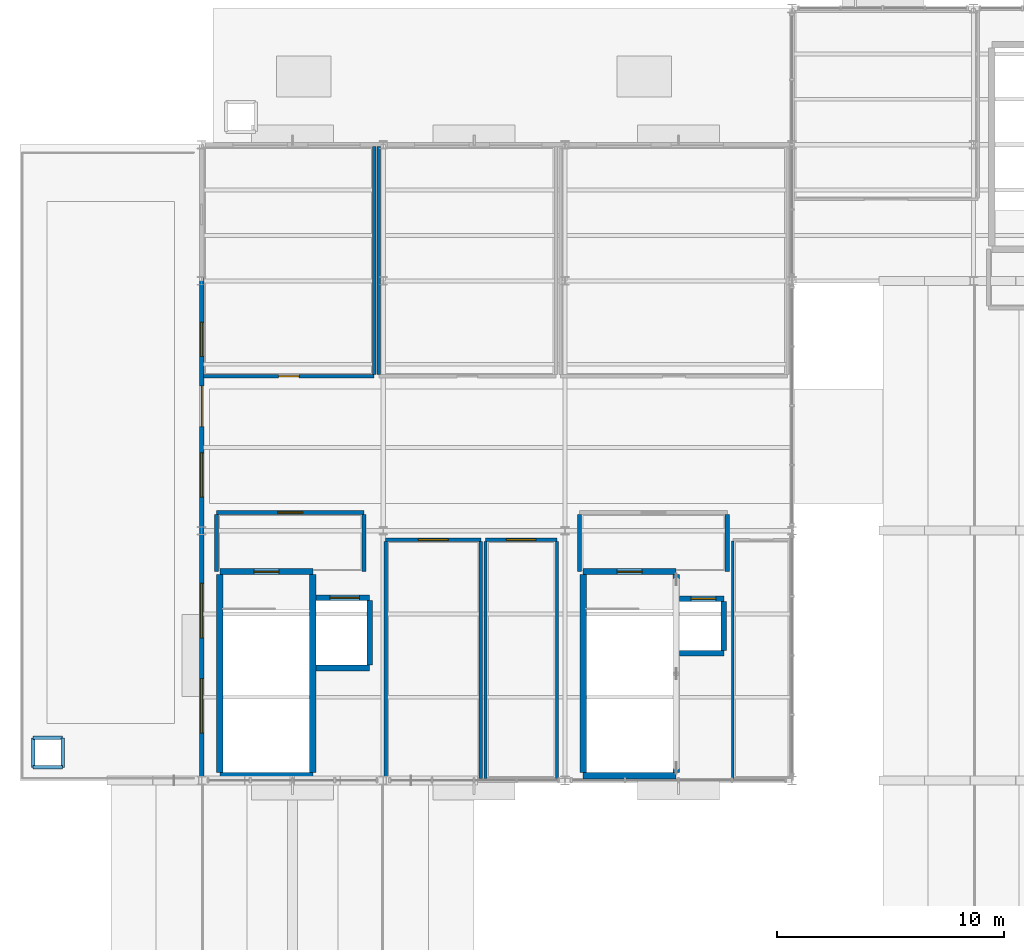
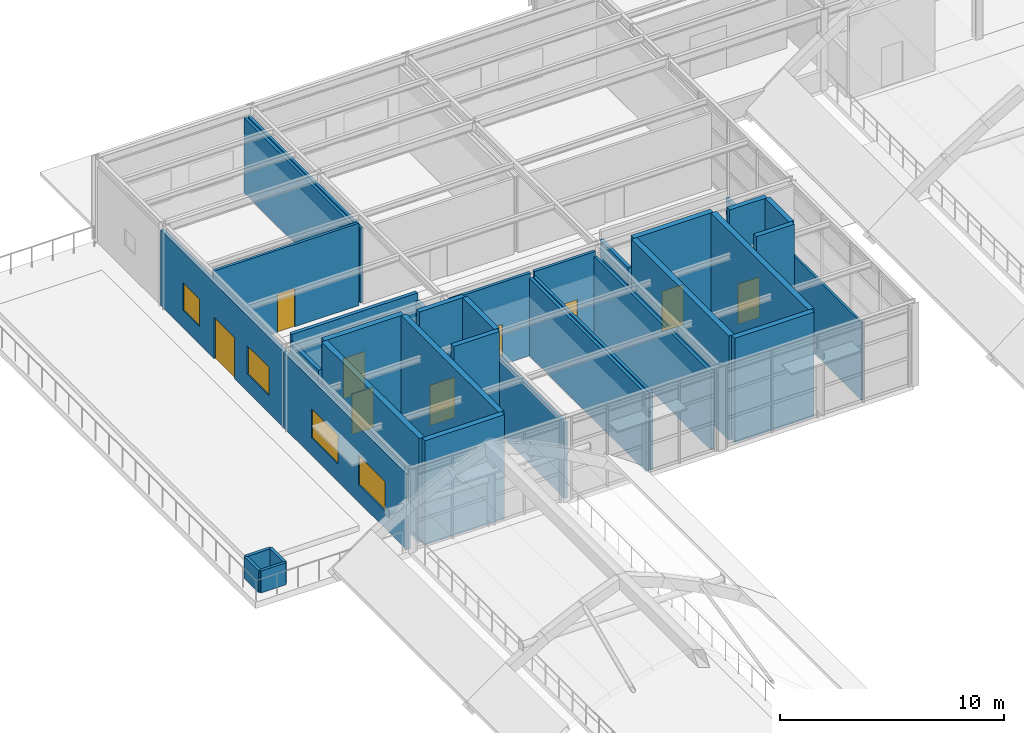
# One storey, part 63 of 82: 35 walls, 9 doors, 4 windows, 13 openings.
"""IFC4 building model written with IfcOpenShell, lengths in metres."""

import ifcopenshell
import ifcopenshell.guid

model = None  # the IFC model being written
_history = None  # IfcOwnerHistory: only IFC2X3 demands one
_inside = {}  # id of a spatial element -> (the spatial element, [elements in it])
_under = {}  # id of a project, library or spatial element -> (it, [spatial elements below it])
_declared = {}  # id of a project -> (the project, [libraries it declares])
_typed = {}  # id of a type object -> (the type object, [elements of that type])
_made_of = {}  # id of a material, layer set ... -> (it, [elements and type objects made of it])


def new_model(schema):
    """Start an empty IFC model of exactly this schema.

    Asked for "IFC4X3", IfcOpenShell would pick the latest addendum, in which some entities
    have other attributes; the version numbers below select the first issue.
    IFC2X3 requires an IfcOwnerHistory on every rooted entity: one is made here for all.
    """
    global model, _history
    if schema == "IFC4X3":
        model = ifcopenshell.file(schema_version=(4, 3, 0, 0))
    else:
        model = ifcopenshell.file(schema=schema)
    _inside.clear()
    _under.clear()
    _declared.clear()
    _typed.clear()
    _made_of.clear()
    _history = None
    if model.schema == "IFC2X3":
        org = make("IfcOrganization", Name="unknown")
        user = make(
            "IfcPersonAndOrganization",
            ThePerson=make("IfcPerson", FamilyName="unknown"),
            TheOrganization=org,
        )
        app = make(
            "IfcApplication",
            ApplicationDeveloper=org,
            Version="unknown",
            ApplicationFullName="unknown",
            ApplicationIdentifier="unknown",
        )
        _history = make(
            "IfcOwnerHistory",
            OwningUser=user,
            OwningApplication=app,
            ChangeAction="ADDED",
            CreationDate=0,
        )
    return model


def make(cls, **values):
    """One entity of the class cls with the attributes given. An attribute that is None is left unset."""
    return model.create_entity(
        cls, **{name: value for name, value in values.items() if value is not None}
    )


def rooted(cls, **values):
    """An entity with a GlobalId (a new one), such as an element, a storey or a relation."""
    return make(cls, GlobalId=ifcopenshell.guid.new(), OwnerHistory=_history, **values)


def si_unit(unit_type, name, prefix=None):
    """IfcSIUnit, for example si_unit("LENGTHUNIT", "METRE", prefix="MILLI")."""
    return make("IfcSIUnit", UnitType=unit_type, Prefix=prefix, Name=name)


def assignment(units):
    """IfcUnitAssignment: the units of a project."""
    return None if units is None else make("IfcUnitAssignment", Units=units)


def point(xyz):
    """IfcCartesianPoint."""
    return None if xyz is None else make("IfcCartesianPoint", Coordinates=xyz)


def direction(xyz):
    """IfcDirection."""
    return None if xyz is None else make("IfcDirection", DirectionRatios=xyz)


def frame(location, z_axis=None, x_axis=None):
    """IfcAxis2Placement3D, a coordinate frame: its origin and axes. An axis left out is left unset."""
    return make(
        "IfcAxis2Placement3D",
        Location=point(location),
        Axis=direction(z_axis),
        RefDirection=direction(x_axis),
    )


def frame_2d(location, x_axis=None):
    """IfcAxis2Placement2D, a coordinate frame in the plane: its origin and x axis."""
    return make(
        "IfcAxis2Placement2D", Location=point(location), RefDirection=direction(x_axis)
    )


def origin():
    """The frame at (0, 0, 0) with its axes left unset."""
    return frame((0.0, 0.0, 0.0))


def place(relative_to, where):
    """IfcLocalPlacement: puts the frame where relative to a parent placement (None: the world)."""
    return make(
        "IfcLocalPlacement", PlacementRelTo=relative_to, RelativePlacement=where
    )


def context(
    kind, dimensions, precision=None, world=None, true_north=None, identifier=None
):
    """IfcGeometricRepresentationContext, for example the 3D "Model" context."""
    return make(
        "IfcGeometricRepresentationContext",
        ContextIdentifier=identifier,
        ContextType=kind,
        CoordinateSpaceDimension=dimensions,
        Precision=precision,
        WorldCoordinateSystem=world,
        TrueNorth=true_north,
    )


def subcontext(parent, identifier, kind, view, scale=None):
    """IfcGeometricRepresentationSubContext, for example "Body" below "Model"."""
    return make(
        "IfcGeometricRepresentationSubContext",
        ContextIdentifier=identifier,
        ContextType=kind,
        ParentContext=parent,
        TargetScale=scale,
        TargetView=view,
    )


def project(units=None, contexts=None):
    """IfcProject with its units and contexts."""
    return rooted(
        "IfcProject",
        Name="project",
        RepresentationContexts=contexts,
        UnitsInContext=assignment(units),
    )


def spatial(cls, under=None, at=None, **own):
    """A site, building, storey or space (cls), placed at a placement, below another one or the project."""
    s = rooted(cls, ObjectPlacement=at, **own)
    if under is not None:
        _under.setdefault(under.id(), (under, []))[1].append(s)
    return s


def profile(cls, at=None, kind="AREA", **sizes):
    """A parametric profile (cls). Its sizes go by their IFC names, for example OverallWidth=200.0."""
    return make(cls, ProfileType=kind, Position=at, **sizes)


def rectangle(**sizes):
    """IfcRectangleProfileDef."""
    return profile("IfcRectangleProfileDef", **sizes)


def extrude(swept, where, along, depth):
    """IfcExtrudedAreaSolid: the profile swept, set in the frame where, extruded along a direction by depth."""
    return make(
        "IfcExtrudedAreaSolid",
        SweptArea=swept,
        Position=where,
        ExtrudedDirection=direction(along),
        Depth=depth,
    )


def shape(context_of_items, identifier, shape_type, items):
    """IfcShapeRepresentation: the items that make up one representation, for example the "Body"."""
    return make(
        "IfcShapeRepresentation",
        ContextOfItems=context_of_items,
        RepresentationIdentifier=identifier,
        RepresentationType=shape_type,
        Items=items,
    )


def material(Name=None, Category=None):
    """IfcMaterial."""
    return make("IfcMaterial", Name=Name, Category=Category)


def layer(
    of_material, thickness, ventilated=None, Name=None, Category=None, Priority=None
):
    """IfcMaterialLayer: one layer of a wall or slab, of a material (None: an air gap)."""
    return make(
        "IfcMaterialLayer",
        Material=of_material,
        LayerThickness=thickness,
        IsVentilated=ventilated,
        Name=Name,
        Category=Category,
        Priority=Priority,
    )


def layer_set(layers, Name=None):
    """IfcMaterialLayerSet."""
    return make("IfcMaterialLayerSet", MaterialLayers=layers, LayerSetName=Name)


def made_of(thing, what):
    """Note that an element or type object is made of a material, layer set ...; save() writes the relation."""
    if what is not None:
        _made_of.setdefault(what.id(), (what, []))[1].append(thing)
    return thing


def type_object(cls, material=None, **own):
    """A type object (cls), such as IfcWallType, which elements share."""
    return made_of(rooted(cls, **own), material)


def element(
    cls,
    number,
    at=None,
    inside=None,
    cuts=None,
    type_object=None,
    material=None,
    context=None,
    identifier="Body",
    shape_type=None,
    held_by="IfcProductDefinitionShape",
    body=None,
    shapes=None,
    **own,
):
    """One element of the class cls, such as IfcWall. Its Tag is "e" and its number.

    at: its placement. inside: the storey or other place that contains it. cuts: it is an
    opening in that element (IfcRelVoidsElement). A single representation is given by context,
    identifier, shape_type and body (its items); several are given by shapes. held_by: the class
    of the entity that holds the representations. save() writes the other relations.
    """
    e = rooted(cls, Tag="e%d" % number, ObjectPlacement=at, **own)
    if body is not None:
        shapes = [shape(context, identifier, shape_type, body)]
    if shapes is not None:
        e.Representation = make(held_by, Representations=shapes)
    if inside is not None:
        _inside.setdefault(inside.id(), (inside, []))[1].append(e)
    if cuts is not None:
        rooted(
            "IfcRelVoidsElement", RelatingBuildingElement=cuts, RelatedOpeningElement=e
        )
    if type_object is not None:
        _typed.setdefault(type_object.id(), (type_object, []))[1].append(e)
    return made_of(e, material)


def fill(opening, filler):
    """IfcRelFillsElement: the door or window that sits in an opening."""
    return rooted(
        "IfcRelFillsElement",
        RelatingOpeningElement=opening,
        RelatedBuildingElement=filler,
    )


def aggregate(whole, parts):
    """IfcRelAggregates: a whole, such as a stair, and the parts it consists of."""
    return rooted("IfcRelAggregates", RelatingObject=whole, RelatedObjects=parts)


def save(model, path):
    """Write the relations noted so far, then the file.

    IfcRelAggregates (storeys below a building ...), IfcRelContainedInSpatialStructure (elements
    in a storey), IfcRelDefinesByType, IfcRelAssociatesMaterial and IfcRelDeclares: one each for
    every whole, place, type object, material and project.
    """
    for whole, parts in _under.values():
        aggregate(whole, parts)
    for where, things in _inside.values():
        rooted(
            "IfcRelContainedInSpatialStructure",
            RelatedElements=things,
            RelatingStructure=where,
        )
    for kind, things in _typed.values():
        rooted("IfcRelDefinesByType", RelatedObjects=things, RelatingType=kind)
    for what, things in _made_of.values():
        rooted("IfcRelAssociatesMaterial", RelatedObjects=things, RelatingMaterial=what)
    for by, libraries in _declared.values():
        rooted("IfcRelDeclares", RelatingContext=by, RelatedDefinitions=libraries)
    model.write(path)


model = new_model("IFC4")

# Units and contexts
model_context = context("Model", 3, precision=1e-05, world=origin(), true_north=direction((0.0, 1.0)))
body_context = subcontext(model_context, "Body", "Model", "MODEL_VIEW")
ifc_project = project(units=[si_unit("LENGTHUNIT", "METRE"), si_unit("AREAUNIT", "SQUARE_METRE"), si_unit("VOLUMEUNIT", "CUBIC_METRE"), si_unit("PLANEANGLEUNIT", "RADIAN"), si_unit("MASSUNIT", "GRAM", prefix="KILO")], contexts=[model_context])

# Site, building, storey
site_placement = place(None, origin())
site = spatial("IfcSite", under=ifc_project, at=site_placement, CompositionType="ELEMENT")
building_placement = place(site_placement, origin())
building = spatial("IfcBuilding", under=site, at=building_placement, Name="Sitalva Quay Ferry Terminal", CompositionType="ELEMENT")
storey_placement = place(building_placement, frame((0.0, 0.0, 5.39990234375)))
storey = spatial("IfcBuildingStorey", under=building, at=storey_placement, Name="L02", CompositionType="ELEMENT", Elevation=5.39990234375)

# Wall
ifc_material_1 = material(Name="Concrete C40/50", Category="concrete")
ifc_layer_1 = layer(ifc_material_1, 0.280029296875)
ifc_layer_set_1 = layer_set([ifc_layer_1], Name="Concrete C40/50")
wall_type_1 = type_object("IfcWallType", Name="Wall_CoreShear_280", PredefinedType="SHEAR", material=ifc_layer_set_1)
wall_1_placement = place(storey_placement, frame((16.800048828125, 78.199951171875, 0.0), z_axis=(0.0, 0.0, 1.0), x_axis=(1.0, 0.0, 0.0)))
element("IfcWall", 1, at=wall_1_placement, inside=storey, type_object=wall_type_1, Name="Core C3 L02 south shear wall", PredefinedType="SHEAR", context=body_context, shape_type="SweptSolid", body=[
    extrude(rectangle(XDim=4.099853515625, YDim=0.280029296875, at=frame_2d((2.0498046875, 0.0))), origin(), (0.0, 0.0, 1.0), 5.7001953125),
])

# Wall, opening, door
wall_2_placement = place(storey_placement, frame((16.800048828125, 87.199951171875, 0.0), z_axis=(0.0, 0.0, 1.0), x_axis=(1.0, 0.0, 0.0)))
wall_2 = element("IfcWall", 2, at=wall_2_placement, inside=storey, type_object=wall_type_1, Name="Core C3 L02 north shear wall", PredefinedType="SHEAR", context=body_context, shape_type="SweptSolid", body=[
    extrude(rectangle(XDim=4.099853515625, YDim=0.280029296875, at=frame_2d((2.0498046875, 0.0))), origin(), (0.0, 0.0, 1.0), 5.7001953125),
])
opening_1_placement = place(wall_2_placement, frame((1.5, 0.0, 0.0)))
opening_1 = element("IfcOpeningElement", 3, at=opening_1_placement, cuts=wall_2, Name="Opening D-L02-017", PredefinedType="OPENING", context=body_context, shape_type="SweptSolid", body=[
    extrude(rectangle(XDim=1.10009765625, YDim=2.199951171875, at=frame_2d((0.550048828125, 1.10009765625))), frame((0.0, 0.14990234375, 0.0), z_axis=(0.0, -1.0, 0.0), x_axis=(1.0, 0.0, 0.0)), (0.0, 0.0, 1.0), 0.300048828125),
])
ifc_material_2 = material(Name="Galvanised Steel Fire Door", Category="steel")
door_type_1 = type_object("IfcDoorType", Name="Door_CoreExit_1100x2200", OperationType="SINGLE_SWING_LEFT", PredefinedType="DOOR", material=ifc_material_2)
door_1_placement = place(opening_1_placement, origin())
door_1 = element("IfcDoor", 4, at=door_1_placement, inside=storey, type_object=door_type_1, Name="DOOR-D-L02-017 Protected stair ST-03 door D-L02-017", OperationType="SINGLE_SWING_LEFT", OverallHeight=2.199951171875, OverallWidth=1.10009765625, PredefinedType="DOOR", context=body_context, shape_type="SweptSolid", body=[
    extrude(rectangle(XDim=1.10009765625, YDim=2.199951171875, at=frame_2d((0.550048828125, 1.10009765625))), frame((0.0, 0.02490234375, 0.0), z_axis=(0.0, -1.0, 0.0), x_axis=(1.0, 0.0, 0.0)), (0.0, 0.0, 1.0), 0.050048828125),
])
fill(opening_1, door_1)

# Walls
for number, where, z_axis, x_axis, name in (
    (5, (16.800048828125, 78.340087890625, 0.0), (0.0, 0.0, 1.0), (0.0, 1.0, 0.0), "Core C3 L02 west shear wall"),
    (6, (20.89990234375, 78.340087890625, 0.0), (0.0, 0.0, 1.0), (0.0, 1.0, 0.0), "Core C3 L02 east shear wall"),
):
    element("IfcWall", number, at=place(storey_placement, frame(where, z_axis=z_axis, x_axis=x_axis)), inside=storey, type_object=wall_type_1, Name=name, PredefinedType="SHEAR", context=body_context, shape_type="SweptSolid", body=[
        extrude(rectangle(XDim=8.719970703125, YDim=0.280029296875, at=frame_2d((4.35986328125, 0.0))), origin(), (0.0, 0.0, 1.0), 5.7001953125),
    ])
wall_3_placement = place(storey_placement, frame((32.800048828125, 78.199951171875, 0.0), z_axis=(0.0, 0.0, 1.0), x_axis=(1.0, 0.0, 0.0)))
element("IfcWall", 7, at=wall_3_placement, inside=storey, type_object=wall_type_1, Name="Core C5 L02 south shear wall", PredefinedType="SHEAR", context=body_context, shape_type="SweptSolid", body=[
    extrude(rectangle(XDim=4.099853515625, YDim=0.280029296875, at=frame_2d((2.0498046875, 0.0))), origin(), (0.0, 0.0, 1.0), 5.7001953125),
])

# Wall, opening, door
wall_4_placement = place(storey_placement, frame((32.800048828125, 87.199951171875, 0.0), z_axis=(0.0, 0.0, 1.0), x_axis=(1.0, 0.0, 0.0)))
wall_4 = element("IfcWall", 8, at=wall_4_placement, inside=storey, type_object=wall_type_1, Name="Core C5 L02 north shear wall", PredefinedType="SHEAR", context=body_context, shape_type="SweptSolid", body=[
    extrude(rectangle(XDim=4.099853515625, YDim=0.280029296875, at=frame_2d((2.0498046875, 0.0))), origin(), (0.0, 0.0, 1.0), 5.7001953125),
])
opening_2_placement = place(wall_4_placement, frame((1.5, 0.0, 0.0)))
opening_2 = element("IfcOpeningElement", 9, at=opening_2_placement, cuts=wall_4, Name="Opening D-L02-020", PredefinedType="OPENING", context=body_context, shape_type="SweptSolid", body=[
    extrude(rectangle(XDim=1.10009765625, YDim=2.199951171875, at=frame_2d((0.550048828125, 1.10009765625))), frame((0.0, 0.14990234375, 0.0), z_axis=(0.0, -1.0, 0.0), x_axis=(1.0, 0.0, 0.0)), (0.0, 0.0, 1.0), 0.300048828125),
])
door_2_placement = place(opening_2_placement, origin())
door_2 = element("IfcDoor", 10, at=door_2_placement, inside=storey, type_object=door_type_1, Name="DOOR-D-L02-020 Protected stair ST-05 door D-L02-020", OperationType="SINGLE_SWING_RIGHT", OverallHeight=2.199951171875, OverallWidth=1.10009765625, PredefinedType="DOOR", context=body_context, shape_type="SweptSolid", body=[
    extrude(rectangle(XDim=1.10009765625, YDim=2.199951171875, at=frame_2d((0.550048828125, 1.10009765625))), frame((0.0, 0.02490234375, 0.0), z_axis=(0.0, -1.0, 0.0), x_axis=(1.0, 0.0, 0.0)), (0.0, 0.0, 1.0), 0.050048828125),
])
fill(opening_2, door_2)

# Walls
for number, where, z_axis, x_axis, name in (
    (11, (32.800048828125, 78.340087890625, 0.0), (0.0, 0.0, 1.0), (0.0, 1.0, 0.0), "Core C5 L02 west shear wall"),
    (12, (36.89990234375, 78.340087890625, 0.0), (0.0, 0.0, 1.0), (0.0, 1.0, 0.0), "Core C5 L02 east shear wall"),
):
    element("IfcWall", number, at=place(storey_placement, frame(where, z_axis=z_axis, x_axis=x_axis)), inside=storey, type_object=wall_type_1, Name=name, PredefinedType="SHEAR", context=body_context, shape_type="SweptSolid", body=[
        extrude(rectangle(XDim=8.719970703125, YDim=0.280029296875, at=frame_2d((4.35986328125, 0.0))), origin(), (0.0, 0.0, 1.0), 5.7001953125),
    ])

# Wall, openings, windows
ifc_material_3 = material(Name="Architectural Concrete C40/50", Category="concrete")
ifc_layer_2 = layer(ifc_material_3, 0.18994140625)
ifc_layer_set_2 = layer_set([ifc_layer_2], Name="Architectural Concrete C40/50")
wall_type_2 = type_object("IfcWallType", Name="Wall_ExtSpandrel_190", PredefinedType="SOLIDWALL", material=ifc_layer_set_2)
wall_5_placement = place(storey_placement, frame((16.0, 78.1630859375, 0.0), z_axis=(0.0, 0.0, 1.0), x_axis=(0.0, 1.0, 0.0)))
wall_5 = element("IfcWall", 13, at=wall_5_placement, inside=storey, type_object=wall_type_2, Name="L02 west wing terrace facade EW-L02-160", PredefinedType="SOLIDWALL", context=body_context, shape_type="SweptSolid", body=[
    extrude(rectangle(XDim=11.011962890625, YDim=0.18994140625, at=frame_2d((5.505859375, 0.0))), origin(), (0.0, 0.0, 1.0), 4.14111328125),
])
opening_3_placement = place(wall_5_placement, frame((1.9169921875, 0.0, 0.949951171875)))
opening_3 = element("IfcOpeningElement", 14, at=opening_3_placement, cuts=wall_5, Name="Opening WN-L02-033", PredefinedType="OPENING", context=body_context, shape_type="SweptSolid", body=[
    extrude(rectangle(XDim=2.39990234375, YDim=1.60009765625, at=frame_2d((1.199951171875, 0.800048828125))), frame((0.0, 0.10498046875, 0.0), z_axis=(0.0, -1.0, 0.0), x_axis=(1.0, 0.0, 0.0)), (0.0, 0.0, 1.0), 0.2099609375),
])
opening_4_placement = place(wall_5_placement, frame((6.116943359375, 0.0, 0.949951171875)))
opening_4 = element("IfcOpeningElement", 15, at=opening_4_placement, cuts=wall_5, Name="Opening WN-L02-034", PredefinedType="OPENING", context=body_context, shape_type="SweptSolid", body=[
    extrude(rectangle(XDim=2.39990234375, YDim=1.60009765625, at=frame_2d((1.199951171875, 0.800048828125))), frame((0.0, 0.10498046875, 0.0), z_axis=(0.0, -1.0, 0.0), x_axis=(1.0, 0.0, 0.0)), (0.0, 0.0, 1.0), 0.2099609375),
])
ifc_material_4 = material(Name="Anodised Aluminium & Low-E Glass", Category="aluminium")
window_type_1 = type_object("IfcWindowType", Name="Win_Ribbon_2400x1600", PartitioningType="SINGLE_PANEL", PredefinedType="WINDOW", material=ifc_material_4)
window_1_placement = place(opening_3_placement, origin())
window_1 = element("IfcWindow", 16, at=window_1_placement, inside=storey, type_object=window_type_1, Name="L02 west office ribbon window WN-L02-033", OverallHeight=1.60009765625, OverallWidth=2.39990234375, PartitioningType="SINGLE_PANEL", PredefinedType="WINDOW", context=body_context, shape_type="SweptSolid", body=[
    extrude(rectangle(XDim=2.39990234375, YDim=1.60009765625, at=frame_2d((1.199951171875, 0.800048828125))), frame((0.0, 0.030029296875, 0.0), z_axis=(0.0, -1.0, 0.0), x_axis=(1.0, 0.0, 0.0)), (0.0, 0.0, 1.0), 0.06005859375),
])
fill(opening_3, window_1)
window_2_placement = place(opening_4_placement, origin())
window_2 = element("IfcWindow", 17, at=window_2_placement, inside=storey, type_object=window_type_1, Name="L02 west office ribbon window WN-L02-034", OverallHeight=1.60009765625, OverallWidth=2.39990234375, PartitioningType="SINGLE_PANEL", PredefinedType="WINDOW", context=body_context, shape_type="SweptSolid", body=[
    extrude(rectangle(XDim=2.39990234375, YDim=1.60009765625, at=frame_2d((1.199951171875, 0.800048828125))), frame((0.0, 0.030029296875, 0.0), z_axis=(0.0, -1.0, 0.0), x_axis=(1.0, 0.0, 0.0)), (0.0, 0.0, 1.0), 0.06005859375),
])
fill(opening_4, window_2)

# Wall, openings, door, windows
wall_6_placement = place(storey_placement, frame((16.0, 89.1630859375, 0.0), z_axis=(0.0, 0.0, 1.0), x_axis=(0.0, 1.0, 0.0)))
wall_6 = element("IfcWall", 18, at=wall_6_placement, inside=storey, type_object=wall_type_2, Name="L02 west wing terrace facade EW-L02-161", PredefinedType="SOLIDWALL", context=body_context, shape_type="SweptSolid", body=[
    extrude(rectangle(XDim=11.011962890625, YDim=0.18994140625, at=frame_2d((5.505859375, 0.0))), origin(), (0.0, 0.0, 1.0), 4.14111328125),
])
opening_5_placement = place(wall_6_placement, frame((4.4169921875, 0.0, 0.0)))
opening_5 = element("IfcOpeningElement", 19, at=opening_5_placement, cuts=wall_6, Name="Opening ED-L02-038", PredefinedType="OPENING", context=body_context, shape_type="SweptSolid", body=[
    extrude(rectangle(XDim=1.800048828125, YDim=2.25, at=frame_2d((0.89990234375, 1.125))), frame((0.0, 0.10498046875, 0.0), z_axis=(0.0, -1.0, 0.0), x_axis=(1.0, 0.0, 0.0)), (0.0, 0.0, 1.0), 0.2099609375),
])
opening_6_placement = place(wall_6_placement, frame((1.31689453125, 0.0, 0.949951171875)))
opening_6 = element("IfcOpeningElement", 20, at=opening_6_placement, cuts=wall_6, Name="Opening WN-L02-035", PredefinedType="OPENING", context=body_context, shape_type="SweptSolid", body=[
    extrude(rectangle(XDim=1.949951171875, YDim=1.550048828125, at=frame_2d((0.97509765625, 0.77490234375))), frame((0.0, 0.10498046875, 0.0), z_axis=(0.0, -1.0, 0.0), x_axis=(1.0, 0.0, 0.0)), (0.0, 0.0, 1.0), 0.2099609375),
])
opening_7_placement = place(wall_6_placement, frame((7.51708984375, 0.0, 0.949951171875)))
opening_7 = element("IfcOpeningElement", 21, at=opening_7_placement, cuts=wall_6, Name="Opening WN-L02-036", PredefinedType="OPENING", context=body_context, shape_type="SweptSolid", body=[
    extrude(rectangle(XDim=1.5, YDim=1.5, at=frame_2d((0.75, 0.75))), frame((0.0, 0.10498046875, 0.0), z_axis=(0.0, -1.0, 0.0), x_axis=(1.0, 0.0, 0.0)), (0.0, 0.0, 1.0), 0.2099609375),
])
ifc_material_5 = material(Name="Anodised Aluminium & Low-E Glass", Category="aluminium")
door_type_2 = type_object("IfcDoorType", Name="Door_Terrace_1800x2250", OperationType="DOUBLE_DOOR_SINGLE_SWING", PredefinedType="DOOR", material=ifc_material_5)
door_3_placement = place(opening_5_placement, origin())
door_3 = element("IfcDoor", 22, at=door_3_placement, inside=storey, type_object=door_type_2, Name="EDOOR-ED-L02-038 L02 west garden terrace access door ED-L02-038", OperationType="DOUBLE_DOOR_SINGLE_SWING", OverallHeight=2.25, OverallWidth=1.800048828125, PredefinedType="DOOR", context=body_context, shape_type="SweptSolid", body=[
    extrude(rectangle(XDim=1.800048828125, YDim=2.25, at=frame_2d((0.89990234375, 1.125))), frame((0.0, 0.02490234375, 0.0), z_axis=(0.0, -1.0, 0.0), x_axis=(1.0, 0.0, 0.0)), (0.0, 0.0, 1.0), 0.050048828125),
])
fill(opening_5, door_3)
ifc_material_6 = material(Name="Anodised Aluminium & Low-E Glass", Category="aluminium")
window_type_2 = type_object("IfcWindowType", Name="Win_Lounge_1950x1550", PartitioningType="SINGLE_PANEL", PredefinedType="WINDOW", material=ifc_material_6)
window_3_placement = place(opening_6_placement, origin())
window_3 = element("IfcWindow", 23, at=window_3_placement, inside=storey, type_object=window_type_2, Name="L02 west lounge window WN-L02-035", OverallHeight=1.550048828125, OverallWidth=1.949951171875, PartitioningType="SINGLE_PANEL", PredefinedType="WINDOW", context=body_context, shape_type="SweptSolid", body=[
    extrude(rectangle(XDim=1.949951171875, YDim=1.550048828125, at=frame_2d((0.97509765625, 0.77490234375))), frame((0.0, 0.030029296875, 0.0), z_axis=(0.0, -1.0, 0.0), x_axis=(1.0, 0.0, 0.0)), (0.0, 0.0, 1.0), 0.06005859375),
])
fill(opening_6, window_3)
ifc_material_7 = material(Name="Anodised Aluminium & Low-E Glass", Category="aluminium")
window_type_3 = type_object("IfcWindowType", Name="Win_Office_1500x1500", PartitioningType="SINGLE_PANEL", PredefinedType="WINDOW", material=ifc_material_7)
window_4_placement = place(opening_7_placement, origin())
window_4 = element("IfcWindow", 24, at=window_4_placement, inside=storey, type_object=window_type_3, Name="L02 west lounge window WN-L02-036", OverallHeight=1.5, OverallWidth=1.5, PartitioningType="SINGLE_PANEL", PredefinedType="WINDOW", context=body_context, shape_type="SweptSolid", body=[
    extrude(rectangle(XDim=1.5, YDim=1.5, at=frame_2d((0.75, 0.75))), frame((0.0, 0.030029296875, 0.0), z_axis=(0.0, -1.0, 0.0), x_axis=(1.0, 0.0, 0.0)), (0.0, 0.0, 1.0), 0.06005859375),
])
fill(opening_7, window_4)

# Wall, opening, door
ifc_material_8 = material(Name="Fire-Rated Blockwork C25/30", Category="masonry")
ifc_layer_3 = layer(ifc_material_8, 0.179931640625)
ifc_layer_set_3 = layer_set([ifc_layer_3], Name="Fire-Rated Blockwork C25/30")
wall_type_3 = type_object("IfcWallType", Name="Wall_FireLobby_180", PredefinedType="SOLIDWALL", material=ifc_layer_set_3)
wall_7_placement = place(storey_placement, frame((16.64990234375, 89.800048828125, 0.0), z_axis=(0.0, 0.0, 1.0), x_axis=(1.0, 0.0, 0.0)))
wall_7 = element("IfcWall", 25, at=wall_7_placement, inside=storey, type_object=wall_type_3, Name="Firefighting & Lift Lobby C3 N wall IW-L02-0049", PredefinedType="SOLIDWALL", context=body_context, shape_type="SweptSolid", body=[
    extrude(rectangle(XDim=6.5, YDim=0.179931640625, at=frame_2d((3.25, 0.0))), origin(), (0.0, 0.0, 1.0), 4.5),
])
opening_8_placement = place(wall_7_placement, frame((2.699951171875, 0.0, 0.0)))
opening_8 = element("IfcOpeningElement", 26, at=opening_8_placement, cuts=wall_7, Name="Opening ID-L02-017", PredefinedType="OPENING", context=body_context, shape_type="SweptSolid", body=[
    extrude(rectangle(XDim=1.10009765625, YDim=2.199951171875, at=frame_2d((0.550048828125, 1.10009765625))), frame((0.0, 0.099853515625, 0.0), z_axis=(0.0, -1.0, 0.0), x_axis=(1.0, 0.0, 0.0)), (0.0, 0.0, 1.0), 0.199951171875),
])
ifc_material_9 = material(Name="Steel Fire Door", Category="steel")
door_type_3 = type_object("IfcDoorType", Name="Door_FireLobby_1100x2200", OperationType="SINGLE_SWING_LEFT", PredefinedType="DOOR", material=ifc_material_9)
door_4_placement = place(opening_8_placement, origin())
door_4 = element("IfcDoor", 27, at=door_4_placement, inside=storey, type_object=door_type_3, Name="IDOOR-ID-L02-017 Firefighting & Lift Lobby C3 entrance ID-L02-017", OperationType="SINGLE_SWING_LEFT", OverallHeight=2.199951171875, OverallWidth=1.10009765625, PredefinedType="DOOR", context=body_context, shape_type="SweptSolid", body=[
    extrude(rectangle(XDim=1.10009765625, YDim=2.199951171875, at=frame_2d((0.550048828125, 1.10009765625))), frame((0.0, 0.02490234375, 0.0), z_axis=(0.0, -1.0, 0.0), x_axis=(1.0, 0.0, 0.0)), (0.0, 0.0, 1.0), 0.050048828125),
])
fill(opening_8, door_4)

# Walls
for number, where, z_axis, x_axis, name in (
    (28, (16.64990234375, 87.199951171875, 0.0), (0.0, 0.0, 1.0), (0.0, 1.0, 0.0), "Firefighting & Lift Lobby C3 W wall IW-L02-0050"),
    (29, (23.14990234375, 87.199951171875, 0.0), (0.0, 0.0, 1.0), (0.0, 1.0, 0.0), "Firefighting & Lift Lobby C3 E wall IW-L02-0051"),
    (30, (32.64990234375, 87.199951171875, 0.0), (0.0, 0.0, 1.0), (0.0, 1.0, 0.0), "Firefighting & Lift Lobby C5 W wall IW-L02-0056"),
    (31, (39.14990234375, 87.199951171875, 0.0), (0.0, 0.0, 1.0), (0.0, 1.0, 0.0), "Firefighting & Lift Lobby C5 E wall IW-L02-0057"),
):
    element("IfcWall", number, at=place(storey_placement, frame(where, z_axis=z_axis, x_axis=x_axis)), inside=storey, type_object=wall_type_3, Name=name, PredefinedType="SOLIDWALL", context=body_context, shape_type="SweptSolid", body=[
        extrude(rectangle(XDim=2.510009765625, YDim=0.179931640625, at=frame_2d((1.2548828125, 0.0))), origin(), (0.0, 0.0, 1.0), 4.10009765625),
    ])
ifc_material_10 = material(Name="Double-Glazed Acoustic Partition", Category="glass")
ifc_layer_4 = layer(ifc_material_10, 0.110107421875)
ifc_layer_set_4 = layer_set([ifc_layer_4], Name="Double-Glazed Acoustic Partition")
wall_type_4 = type_object("IfcWallType", Name="Wall_GlazedScreen_110", PredefinedType="MOVABLE", material=ifc_layer_set_4)
wall_8_placement = place(storey_placement, frame((39.39990234375, 78.080078125, 0.0), z_axis=(0.0, 0.0, 1.0), x_axis=(0.0, 1.0, 0.0)))
element("IfcWall", 32, at=wall_8_placement, inside=storey, type_object=wall_type_4, Name="Monsoon Court Viewing Lounge W wall IW-L02-0217", PredefinedType="MOVABLE", context=body_context, shape_type="SweptSolid", body=[
    extrude(rectangle(XDim=10.46484375, YDim=0.110107421875, at=frame_2d((5.232421875, 0.0))), origin(), (0.0, 0.0, 1.0), 4.2470703125),
])
ifc_material_11 = material(Name="Concrete C35/45", Category="concrete")
ifc_layer_5 = layer(ifc_material_11, 0.25)
ifc_layer_set_5 = layer_set([ifc_layer_5], Name="Concrete C35/45")
wall_type_5 = type_object("IfcWallType", Name="Wall_LiftShaft_250", PredefinedType="SOLIDWALL", material=ifc_layer_set_5)
wall_9_placement = place(storey_placement, frame((21.044921875, 82.949951171875, 0.0), z_axis=(0.0, 0.0, 1.0), x_axis=(1.0, 0.0, 0.0)))
element("IfcWall", 33, at=wall_9_placement, inside=storey, type_object=wall_type_5, Name="Lift LF-08 L02 south shaft wall", PredefinedType="SOLIDWALL", context=body_context, shape_type="SweptSolid", body=[
    extrude(rectangle(XDim=2.35498046875, YDim=0.25, at=frame_2d((1.177490234375, 0.0))), origin(), (0.0, 0.0, 1.0), 6.47998046875),
])

# Wall, opening, door
wall_10_placement = place(storey_placement, frame((21.044921875, 86.050048828125, 0.0), z_axis=(0.0, 0.0, 1.0), x_axis=(1.0, 0.0, 0.0)))
wall_10 = element("IfcWall", 34, at=wall_10_placement, inside=storey, type_object=wall_type_5, Name="Lift LF-08 L02 north shaft wall", PredefinedType="SOLIDWALL", context=body_context, shape_type="SweptSolid", body=[
    extrude(rectangle(XDim=2.35498046875, YDim=0.25, at=frame_2d((1.177490234375, 0.0))), origin(), (0.0, 0.0, 1.0), 6.47998046875),
])
opening_9_placement = place(wall_10_placement, frame((0.60009765625, 0.0, 0.0)))
opening_9 = element("IfcOpeningElement", 35, at=opening_9_placement, cuts=wall_10, Name="Opening LD-LF-08-L02", PredefinedType="OPENING", context=body_context, shape_type="SweptSolid", body=[
    extrude(rectangle(XDim=1.300048828125, YDim=2.199951171875, at=frame_2d((0.64990234375, 1.10009765625))), frame((0.0, 0.135009765625, 0.0), z_axis=(0.0, -1.0, 0.0), x_axis=(1.0, 0.0, 0.0)), (0.0, 0.0, 1.0), 0.27001953125),
])
ifc_material_12 = material(Name="Stainless Steel 316L Goods/Stretcher Door", Category="steel")
door_type_4 = type_object("IfcDoorType", Name="Door_LiftStretcher_1300x2200", OperationType="SLIDING_TO_RIGHT", PredefinedType="DOOR", material=ifc_material_12)
door_5_placement = place(opening_9_placement, origin())
door_5 = element("IfcDoor", 36, at=door_5_placement, inside=storey, type_object=door_type_4, Name="DOOR-LD-LF-08-L02 Lift LF-08 sliding landing door LD-LF-08-L02", OperationType="SLIDING_TO_RIGHT", OverallHeight=2.199951171875, OverallWidth=1.300048828125, PredefinedType="DOOR", context=body_context, shape_type="SweptSolid", body=[
    extrude(rectangle(XDim=1.300048828125, YDim=2.199951171875, at=frame_2d((0.64990234375, 1.10009765625))), frame((0.0, 0.02490234375, 0.0), z_axis=(0.0, -1.0, 0.0), x_axis=(1.0, 0.0, 0.0)), (0.0, 0.0, 1.0), 0.050048828125),
])
fill(opening_9, door_5)

# Walls
wall_11_placement = place(storey_placement, frame((23.39990234375, 83.074951171875, 0.0), z_axis=(0.0, 0.0, 1.0), x_axis=(0.0, 1.0, 0.0)))
element("IfcWall", 37, at=wall_11_placement, inside=storey, type_object=wall_type_5, Name="Lift LF-08 L02 east shaft wall", PredefinedType="SOLIDWALL", context=body_context, shape_type="SweptSolid", body=[
    extrude(rectangle(XDim=2.85009765625, YDim=0.25, at=frame_2d((1.425048828125, 0.0))), origin(), (0.0, 0.0, 1.0), 6.47998046875),
])
wall_12_placement = place(storey_placement, frame((37.044921875, 83.60009765625, 0.0), z_axis=(0.0, 0.0, 1.0), x_axis=(1.0, 0.0, 0.0)))
element("IfcWall", 38, at=wall_12_placement, inside=storey, type_object=wall_type_5, Name="Lift LF-05 L02 south shaft wall", PredefinedType="SOLIDWALL", context=body_context, shape_type="SweptSolid", body=[
    extrude(rectangle(XDim=1.955078125, YDim=0.25, at=frame_2d((0.9775390625, 0.0))), origin(), (0.0, 0.0, 1.0), 6.47998046875),
])

# Wall, opening, door
wall_13_placement = place(storey_placement, frame((37.044921875, 86.0, 0.0), z_axis=(0.0, 0.0, 1.0), x_axis=(1.0, 0.0, 0.0)))
wall_13 = element("IfcWall", 39, at=wall_13_placement, inside=storey, type_object=wall_type_5, Name="Lift LF-05 L02 north shaft wall", PredefinedType="SOLIDWALL", context=body_context, shape_type="SweptSolid", body=[
    extrude(rectangle(XDim=1.955078125, YDim=0.25, at=frame_2d((0.9775390625, 0.0))), origin(), (0.0, 0.0, 1.0), 6.47998046875),
])
opening_10_placement = place(wall_13_placement, frame((0.5, 0.0, 0.0)))
opening_10 = element("IfcOpeningElement", 40, at=opening_10_placement, cuts=wall_13, Name="Opening LD-LF-05-L02", PredefinedType="OPENING", context=body_context, shape_type="SweptSolid", body=[
    extrude(rectangle(XDim=1.10009765625, YDim=2.199951171875, at=frame_2d((0.550048828125, 1.10009765625))), frame((0.0, 0.135009765625, 0.0), z_axis=(0.0, -1.0, 0.0), x_axis=(1.0, 0.0, 0.0)), (0.0, 0.0, 1.0), 0.27001953125),
])
ifc_material_13 = material(Name="Stainless Steel 316L Fire Landing Door", Category="steel")
door_type_5 = type_object("IfcDoorType", Name="Door_LiftLanding_1100x2200", OperationType="SLIDING_TO_LEFT", PredefinedType="DOOR", material=ifc_material_13)
door_6_placement = place(opening_10_placement, origin())
door_6 = element("IfcDoor", 41, at=door_6_placement, inside=storey, type_object=door_type_5, Name="DOOR-LD-LF-05-L02 Lift LF-05 sliding landing door LD-LF-05-L02", OperationType="SLIDING_TO_LEFT", OverallHeight=2.199951171875, OverallWidth=1.10009765625, PredefinedType="DOOR", context=body_context, shape_type="SweptSolid", body=[
    extrude(rectangle(XDim=1.10009765625, YDim=2.199951171875, at=frame_2d((0.550048828125, 1.10009765625))), frame((0.0, 0.02490234375, 0.0), z_axis=(0.0, -1.0, 0.0), x_axis=(1.0, 0.0, 0.0)), (0.0, 0.0, 1.0), 0.050048828125),
])
fill(opening_10, door_6)

# Wall
wall_14_placement = place(storey_placement, frame((39.0, 83.72509765625, 0.0), z_axis=(0.0, 0.0, 1.0), x_axis=(0.0, 1.0, 0.0)))
element("IfcWall", 42, at=wall_14_placement, inside=storey, type_object=wall_type_5, Name="Lift LF-05 L02 east shaft wall", PredefinedType="SOLIDWALL", context=body_context, shape_type="SweptSolid", body=[
    extrude(rectangle(XDim=2.14990234375, YDim=0.25, at=frame_2d((1.074951171875, 0.0))), origin(), (0.0, 0.0, 1.0), 6.47998046875),
])

# Wall, opening, door
ifc_material_14 = material(Name="Acoustic Twin-Stud Gypsum Partition", Category="gypsum")
ifc_layer_6 = layer(ifc_material_14, 0.14990234375)
ifc_layer_set_6 = layer_set([ifc_layer_6], Name="Acoustic Twin-Stud Gypsum Partition")
wall_type_6 = type_object("IfcWallType", Name="Wall_Partition_150", PredefinedType="PARTITIONING", material=ifc_layer_set_6)
wall_15_placement = place(storey_placement, frame((24.10009765625, 88.60009765625, 0.0), z_axis=(0.0, 0.0, 1.0), x_axis=(1.0, 0.0, 0.0)))
wall_15 = element("IfcWall", 43, at=wall_15_placement, inside=storey, type_object=wall_type_6, Name="Male Prayer Room & Ablution N wall IW-L02-0210", PredefinedType="PARTITIONING", context=body_context, shape_type="SweptSolid", body=[
    extrude(rectangle(XDim=4.199951171875, YDim=0.14990234375, at=frame_2d((2.10009765625, 0.0))), origin(), (0.0, 0.0, 1.0), 4.5),
])
opening_11_placement = place(wall_15_placement, frame((1.449951171875, 0.0, 0.0)))
opening_11 = element("IfcOpeningElement", 44, at=opening_11_placement, cuts=wall_15, Name="Opening ID-L02-074", PredefinedType="OPENING", context=body_context, shape_type="SweptSolid", body=[
    extrude(rectangle(XDim=1.300048828125, YDim=2.199951171875, at=frame_2d((0.64990234375, 1.10009765625))), frame((0.0, 0.0849609375, 0.0), z_axis=(0.0, -1.0, 0.0), x_axis=(1.0, 0.0, 0.0)), (0.0, 0.0, 1.0), 0.169921875),
])
ifc_material_15 = material(Name="Carved Teak Acoustic Door", Category="wood")
door_type_6 = type_object("IfcDoorType", Name="Door_Prayer_1300x2200", OperationType="DOUBLE_DOOR_SINGLE_SWING", PredefinedType="DOOR", material=ifc_material_15)
door_7_placement = place(opening_11_placement, origin())
door_7 = element("IfcDoor", 45, at=door_7_placement, inside=storey, type_object=door_type_6, Name="IDOOR-ID-L02-074 Male Prayer Room & Ablution entrance ID-L02-074", OperationType="DOUBLE_DOOR_SINGLE_SWING", OverallHeight=2.199951171875, OverallWidth=1.300048828125, PredefinedType="DOOR", context=body_context, shape_type="SweptSolid", body=[
    extrude(rectangle(XDim=1.300048828125, YDim=2.199951171875, at=frame_2d((0.64990234375, 1.10009765625))), frame((0.0, 0.02490234375, 0.0), z_axis=(0.0, -1.0, 0.0), x_axis=(1.0, 0.0, 0.0)), (0.0, 0.0, 1.0), 0.050048828125),
])
fill(opening_11, door_7)

# Walls
wall_16_placement = place(storey_placement, frame((24.10009765625, 78.080078125, 0.0), z_axis=(0.0, 0.0, 1.0), x_axis=(0.0, 1.0, 0.0)))
element("IfcWall", 46, at=wall_16_placement, inside=storey, type_object=wall_type_6, Name="Male Prayer Room & Ablution W wall IW-L02-0211", PredefinedType="PARTITIONING", context=body_context, shape_type="SweptSolid", body=[
    extrude(rectangle(XDim=10.44482421875, YDim=0.14990234375, at=frame_2d((5.222412109375, 0.0))), origin(), (0.0, 0.0, 1.0), 4.14306640625),
])
wall_17_placement = place(storey_placement, frame((28.300048828125, 78.080078125, 0.0), z_axis=(0.0, 0.0, 1.0), x_axis=(0.0, 1.0, 0.0)))
element("IfcWall", 47, at=wall_17_placement, inside=storey, type_object=wall_type_6, Name="Male Prayer Room & Ablution E wall IW-L02-0212", PredefinedType="PARTITIONING", context=body_context, shape_type="SweptSolid", body=[
    extrude(rectangle(XDim=10.44482421875, YDim=0.14990234375, at=frame_2d((5.222412109375, 0.0))), origin(), (0.0, 0.0, 1.0), 4.2470703125),
])

# Wall, opening, door
wall_18_placement = place(storey_placement, frame((28.5, 88.60009765625, 0.0), z_axis=(0.0, 0.0, 1.0), x_axis=(1.0, 0.0, 0.0)))
wall_18 = element("IfcWall", 48, at=wall_18_placement, inside=storey, type_object=wall_type_6, Name="Female Prayer Room & Ablution N wall IW-L02-0213", PredefinedType="PARTITIONING", context=body_context, shape_type="SweptSolid", body=[
    extrude(rectangle(XDim=3.14990234375, YDim=0.14990234375, at=frame_2d((1.574951171875, 0.0))), origin(), (0.0, 0.0, 1.0), 4.5),
])
opening_12_placement = place(wall_18_placement, frame((0.925048828125, 0.0, 0.0)))
opening_12 = element("IfcOpeningElement", 49, at=opening_12_placement, cuts=wall_18, Name="Opening ID-L02-075", PredefinedType="OPENING", context=body_context, shape_type="SweptSolid", body=[
    extrude(rectangle(XDim=1.300048828125, YDim=2.199951171875, at=frame_2d((0.64990234375, 1.10009765625))), frame((0.0, 0.0849609375, 0.0), z_axis=(0.0, -1.0, 0.0), x_axis=(1.0, 0.0, 0.0)), (0.0, 0.0, 1.0), 0.169921875),
])
door_8_placement = place(opening_12_placement, origin())
door_8 = element("IfcDoor", 50, at=door_8_placement, inside=storey, type_object=door_type_6, Name="IDOOR-ID-L02-075 Female Prayer Room & Ablution entrance ID-L02-075", OperationType="DOUBLE_DOOR_SINGLE_SWING", OverallHeight=2.199951171875, OverallWidth=1.300048828125, PredefinedType="DOOR", context=body_context, shape_type="SweptSolid", body=[
    extrude(rectangle(XDim=1.300048828125, YDim=2.199951171875, at=frame_2d((0.64990234375, 1.10009765625))), frame((0.0, 0.02490234375, 0.0), z_axis=(0.0, -1.0, 0.0), x_axis=(1.0, 0.0, 0.0)), (0.0, 0.0, 1.0), 0.050048828125),
])
fill(opening_12, door_8)

# Walls
for number, where, z_axis, x_axis, name in (
    (51, (28.5, 78.080078125, 0.0), (0.0, 0.0, 1.0), (0.0, 1.0, 0.0), "Female Prayer Room & Ablution W wall IW-L02-0214"),
    (52, (31.64990234375, 78.080078125, 0.0), (0.0, 0.0, 1.0), (0.0, 1.0, 0.0), "Female Prayer Room & Ablution E wall IW-L02-0215"),
):
    element("IfcWall", number, at=place(storey_placement, frame(where, z_axis=z_axis, x_axis=x_axis)), inside=storey, type_object=wall_type_6, Name=name, PredefinedType="PARTITIONING", context=body_context, shape_type="SweptSolid", body=[
        extrude(rectangle(XDim=10.44482421875, YDim=0.14990234375, at=frame_2d((5.222412109375, 0.0))), origin(), (0.0, 0.0, 1.0), 4.2470703125),
    ])
ifc_material_16 = material(Name="Concrete C35/45", Category="concrete")
ifc_layer_7 = layer(ifc_material_16, 0.14990234375)
ifc_layer_set_7 = layer_set([ifc_layer_7], Name="Concrete C35/45")
wall_type_7 = type_object("IfcWallType", Name="Wall_RiserShaft_150", PredefinedType="PLUMBINGWALL", material=ifc_layer_set_7)
for number, where, z_axis, x_axis, name in (
    (53, (8.574951171875, 78.574951171875, 0.0), (0.0, 0.0, 1.0), (1.0, 0.0, 0.0), "L02 service riser 006 wall S"),
    (54, (8.574951171875, 79.875, 0.0), (0.0, 0.0, 1.0), (1.0, 0.0, 0.0), "L02 service riser 006 wall N"),
    (55, (8.574951171875, 78.574951171875, 0.0), (0.0, 0.0, 1.0), (0.0, 1.0, 0.0), "L02 service riser 006 wall W"),
    (56, (9.875, 78.574951171875, 0.0), (0.0, 0.0, 1.0), (0.0, 1.0, 0.0), "L02 service riser 006 wall E"),
):
    element("IfcWall", number, at=place(storey_placement, frame(where, z_axis=z_axis, x_axis=x_axis)), inside=storey, type_object=wall_type_7, Name=name, PredefinedType="PLUMBINGWALL", context=body_context, shape_type="SweptSolid", body=[
        extrude(rectangle(XDim=1.300048828125, YDim=0.14990234375, at=frame_2d((0.64990234375, 0.0))), origin(), (0.0, 0.0, 1.0), 1.2001953125),
    ])

# Wall, opening, door
ifc_material_17 = material(Name="Moisture-Resistant Cement Board Partition", Category="gypsum")
ifc_layer_8 = layer(ifc_material_17, 0.139892578125)
ifc_layer_set_8 = layer_set([ifc_layer_8], Name="Moisture-Resistant Cement Board Partition")
wall_type_8 = type_object("IfcWallType", Name="Wall_WetRoom_140", PredefinedType="PARTITIONING", material=ifc_layer_set_8)
wall_19_placement = place(storey_placement, frame((16.080078125, 95.800048828125, 0.0), z_axis=(0.0, 0.0, 1.0), x_axis=(1.0, 0.0, 0.0)))
wall_19 = element("IfcWall", 57, at=wall_19_placement, inside=storey, type_object=wall_type_8, Name="L02 West Male Public Toilets S wall IW-L02-0218", PredefinedType="PARTITIONING", context=body_context, shape_type="SweptSolid", body=[
    extrude(rectangle(XDim=7.52001953125, YDim=0.139892578125, at=frame_2d((3.760009765625, 0.0))), origin(), (0.0, 0.0, 1.0), 4.5),
])
opening_13_placement = place(wall_19_placement, frame((3.31005859375, 0.0, 0.0)))
opening_13 = element("IfcOpeningElement", 58, at=opening_13_placement, cuts=wall_19, Name="Opening ID-L02-077", PredefinedType="OPENING", context=body_context, shape_type="SweptSolid", body=[
    extrude(rectangle(XDim=0.89990234375, YDim=2.10009765625, at=frame_2d((0.449951171875, 1.050048828125))), frame((0.0, 0.079833984375, 0.0), z_axis=(0.0, -1.0, 0.0), x_axis=(1.0, 0.0, 0.0)), (0.0, 0.0, 1.0), 0.159912109375),
])
ifc_material_18 = material(Name="High-Pressure Laminate Door", Category="wood")
door_type_7 = type_object("IfcDoorType", Name="Door_WC_900x2100", OperationType="SINGLE_SWING_LEFT", PredefinedType="DOOR", material=ifc_material_18)
door_9_placement = place(opening_13_placement, origin())
door_9 = element("IfcDoor", 59, at=door_9_placement, inside=storey, type_object=door_type_7, Name="IDOOR-ID-L02-077 L02 West Male Public Toilets entrance ID-L02-077", OperationType="SINGLE_SWING_LEFT", OverallHeight=2.10009765625, OverallWidth=0.89990234375, PredefinedType="DOOR", context=body_context, shape_type="SweptSolid", body=[
    extrude(rectangle(XDim=0.89990234375, YDim=2.10009765625, at=frame_2d((0.449951171875, 1.050048828125))), frame((0.0, 0.02490234375, 0.0), z_axis=(0.0, -1.0, 0.0), x_axis=(1.0, 0.0, 0.0)), (0.0, 0.0, 1.0), 0.050048828125),
])
fill(opening_13, door_9)

# Walls
for number, where, z_axis, x_axis, name in (
    (60, (23.60009765625, 95.8701171875, 0.0), (0.0, 0.0, 1.0), (0.0, 1.0, 0.0), "L02 West Male Public Toilets E wall IW-L02-0219"),
    (61, (23.800048828125, 95.8701171875, 0.0), (0.0, 0.0, 1.0), (0.0, 1.0, 0.0), "L02 West Female Public Toilets W wall IW-L02-0221"),
):
    element("IfcWall", number, at=place(storey_placement, frame(where, z_axis=z_axis, x_axis=x_axis)), inside=storey, type_object=wall_type_8, Name=name, PredefinedType="PARTITIONING", context=body_context, shape_type="SweptSolid", body=[
        extrude(rectangle(XDim=10.0498046875, YDim=0.139892578125, at=frame_2d((5.02490234375, 0.0))), origin(), (0.0, 0.0, 1.0), 4.10009765625),
    ])

save(model, "model.ifc")
